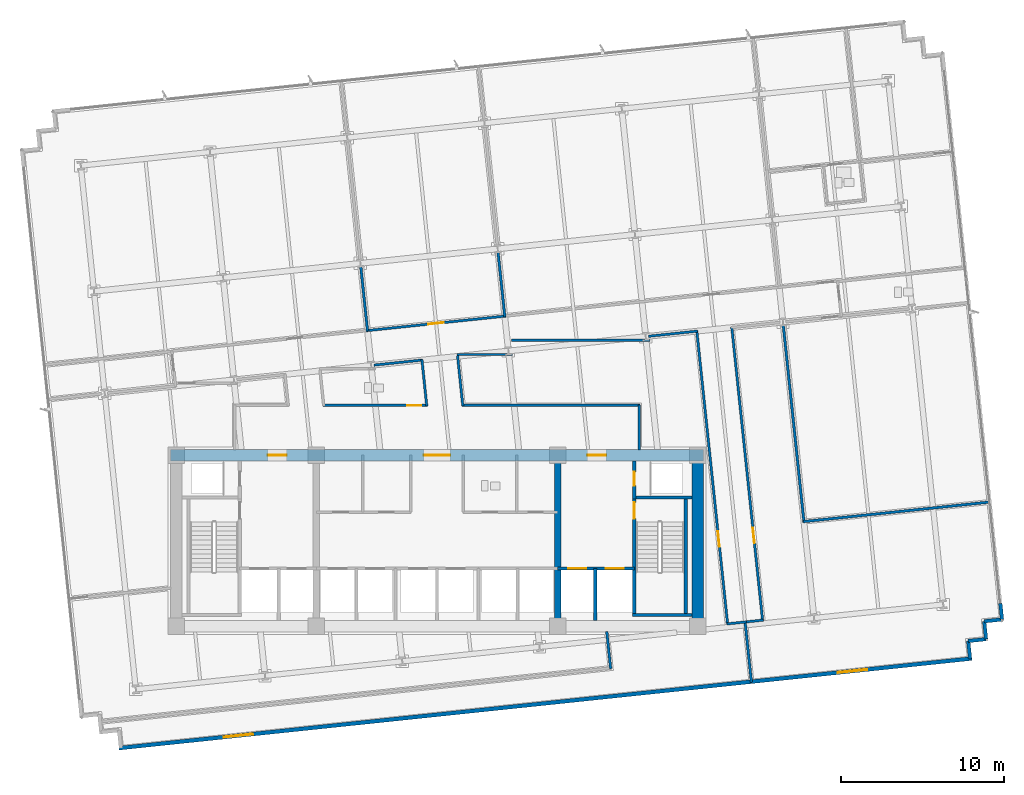
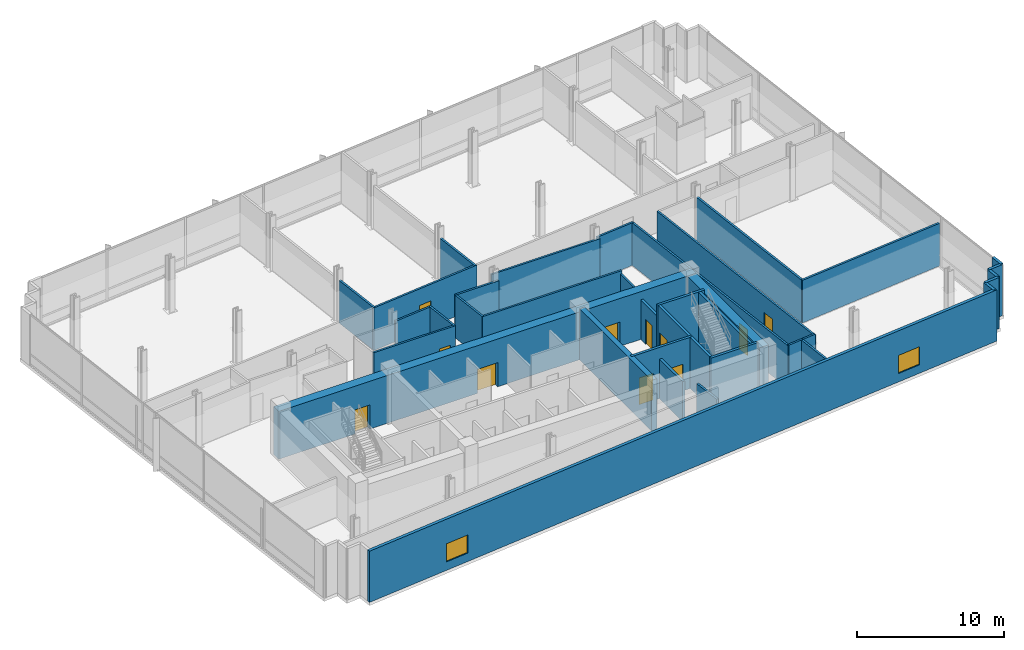
# One storey, part 13 of 20: 36 walls, 11 doors, 2 windows, 13 openings.
"""IFC4 building model written with IfcOpenShell, lengths in metres."""

import ifcopenshell
import ifcopenshell.guid

model = None  # the IFC model being written
_history = None  # IfcOwnerHistory: only IFC2X3 demands one
_inside = {}  # id of a spatial element -> (the spatial element, [elements in it])
_under = {}  # id of a project, library or spatial element -> (it, [spatial elements below it])
_declared = {}  # id of a project -> (the project, [libraries it declares])
_typed = {}  # id of a type object -> (the type object, [elements of that type])
_made_of = {}  # id of a material, layer set ... -> (it, [elements and type objects made of it])


def new_model(schema):
    """Start an empty IFC model of exactly this schema.

    Asked for "IFC4X3", IfcOpenShell would pick the latest addendum, in which some entities
    have other attributes; the version numbers below select the first issue.
    IFC2X3 requires an IfcOwnerHistory on every rooted entity: one is made here for all.
    """
    global model, _history
    if schema == "IFC4X3":
        model = ifcopenshell.file(schema_version=(4, 3, 0, 0))
    else:
        model = ifcopenshell.file(schema=schema)
    _inside.clear()
    _under.clear()
    _declared.clear()
    _typed.clear()
    _made_of.clear()
    _history = None
    if model.schema == "IFC2X3":
        org = make("IfcOrganization", Name="unknown")
        user = make(
            "IfcPersonAndOrganization",
            ThePerson=make("IfcPerson", FamilyName="unknown"),
            TheOrganization=org,
        )
        app = make(
            "IfcApplication",
            ApplicationDeveloper=org,
            Version="unknown",
            ApplicationFullName="unknown",
            ApplicationIdentifier="unknown",
        )
        _history = make(
            "IfcOwnerHistory",
            OwningUser=user,
            OwningApplication=app,
            ChangeAction="ADDED",
            CreationDate=0,
        )
    return model


def make(cls, **values):
    """One entity of the class cls with the attributes given. An attribute that is None is left unset."""
    return model.create_entity(
        cls, **{name: value for name, value in values.items() if value is not None}
    )


def rooted(cls, **values):
    """An entity with a GlobalId (a new one), such as an element, a storey or a relation."""
    return make(cls, GlobalId=ifcopenshell.guid.new(), OwnerHistory=_history, **values)


def si_unit(unit_type, name, prefix=None):
    """IfcSIUnit, for example si_unit("LENGTHUNIT", "METRE", prefix="MILLI")."""
    return make("IfcSIUnit", UnitType=unit_type, Prefix=prefix, Name=name)


def assignment(units):
    """IfcUnitAssignment: the units of a project."""
    return None if units is None else make("IfcUnitAssignment", Units=units)


def point(xyz):
    """IfcCartesianPoint."""
    return None if xyz is None else make("IfcCartesianPoint", Coordinates=xyz)


def direction(xyz):
    """IfcDirection."""
    return None if xyz is None else make("IfcDirection", DirectionRatios=xyz)


def frame(location, z_axis=None, x_axis=None):
    """IfcAxis2Placement3D, a coordinate frame: its origin and axes. An axis left out is left unset."""
    return make(
        "IfcAxis2Placement3D",
        Location=point(location),
        Axis=direction(z_axis),
        RefDirection=direction(x_axis),
    )


def frame_2d(location, x_axis=None):
    """IfcAxis2Placement2D, a coordinate frame in the plane: its origin and x axis."""
    return make(
        "IfcAxis2Placement2D", Location=point(location), RefDirection=direction(x_axis)
    )


def origin():
    """The frame at (0, 0, 0) with its axes left unset."""
    return frame((0.0, 0.0, 0.0))


def place(relative_to, where):
    """IfcLocalPlacement: puts the frame where relative to a parent placement (None: the world)."""
    return make(
        "IfcLocalPlacement", PlacementRelTo=relative_to, RelativePlacement=where
    )


def context(
    kind, dimensions, precision=None, world=None, true_north=None, identifier=None
):
    """IfcGeometricRepresentationContext, for example the 3D "Model" context."""
    return make(
        "IfcGeometricRepresentationContext",
        ContextIdentifier=identifier,
        ContextType=kind,
        CoordinateSpaceDimension=dimensions,
        Precision=precision,
        WorldCoordinateSystem=world,
        TrueNorth=true_north,
    )


def subcontext(parent, identifier, kind, view, scale=None):
    """IfcGeometricRepresentationSubContext, for example "Body" below "Model"."""
    return make(
        "IfcGeometricRepresentationSubContext",
        ContextIdentifier=identifier,
        ContextType=kind,
        ParentContext=parent,
        TargetScale=scale,
        TargetView=view,
    )


def project(units=None, contexts=None):
    """IfcProject with its units and contexts."""
    return rooted(
        "IfcProject",
        Name="project",
        RepresentationContexts=contexts,
        UnitsInContext=assignment(units),
    )


def spatial(cls, under=None, at=None, **own):
    """A site, building, storey or space (cls), placed at a placement, below another one or the project."""
    s = rooted(cls, ObjectPlacement=at, **own)
    if under is not None:
        _under.setdefault(under.id(), (under, []))[1].append(s)
    return s


def profile(cls, at=None, kind="AREA", **sizes):
    """A parametric profile (cls). Its sizes go by their IFC names, for example OverallWidth=200.0."""
    return make(cls, ProfileType=kind, Position=at, **sizes)


def rectangle(**sizes):
    """IfcRectangleProfileDef."""
    return profile("IfcRectangleProfileDef", **sizes)


def extrude(swept, where, along, depth):
    """IfcExtrudedAreaSolid: the profile swept, set in the frame where, extruded along a direction by depth."""
    return make(
        "IfcExtrudedAreaSolid",
        SweptArea=swept,
        Position=where,
        ExtrudedDirection=direction(along),
        Depth=depth,
    )


def shape(context_of_items, identifier, shape_type, items):
    """IfcShapeRepresentation: the items that make up one representation, for example the "Body"."""
    return make(
        "IfcShapeRepresentation",
        ContextOfItems=context_of_items,
        RepresentationIdentifier=identifier,
        RepresentationType=shape_type,
        Items=items,
    )


def material(Name=None, Category=None):
    """IfcMaterial."""
    return make("IfcMaterial", Name=Name, Category=Category)


def layer(
    of_material, thickness, ventilated=None, Name=None, Category=None, Priority=None
):
    """IfcMaterialLayer: one layer of a wall or slab, of a material (None: an air gap)."""
    return make(
        "IfcMaterialLayer",
        Material=of_material,
        LayerThickness=thickness,
        IsVentilated=ventilated,
        Name=Name,
        Category=Category,
        Priority=Priority,
    )


def layer_set(layers, Name=None):
    """IfcMaterialLayerSet."""
    return make("IfcMaterialLayerSet", MaterialLayers=layers, LayerSetName=Name)


def made_of(thing, what):
    """Note that an element or type object is made of a material, layer set ...; save() writes the relation."""
    if what is not None:
        _made_of.setdefault(what.id(), (what, []))[1].append(thing)
    return thing


def type_object(cls, material=None, **own):
    """A type object (cls), such as IfcWallType, which elements share."""
    return made_of(rooted(cls, **own), material)


def element(
    cls,
    number,
    at=None,
    inside=None,
    cuts=None,
    type_object=None,
    material=None,
    context=None,
    identifier="Body",
    shape_type=None,
    held_by="IfcProductDefinitionShape",
    body=None,
    shapes=None,
    **own,
):
    """One element of the class cls, such as IfcWall. Its Tag is "e" and its number.

    at: its placement. inside: the storey or other place that contains it. cuts: it is an
    opening in that element (IfcRelVoidsElement). A single representation is given by context,
    identifier, shape_type and body (its items); several are given by shapes. held_by: the class
    of the entity that holds the representations. save() writes the other relations.
    """
    e = rooted(cls, Tag="e%d" % number, ObjectPlacement=at, **own)
    if body is not None:
        shapes = [shape(context, identifier, shape_type, body)]
    if shapes is not None:
        e.Representation = make(held_by, Representations=shapes)
    if inside is not None:
        _inside.setdefault(inside.id(), (inside, []))[1].append(e)
    if cuts is not None:
        rooted(
            "IfcRelVoidsElement", RelatingBuildingElement=cuts, RelatedOpeningElement=e
        )
    if type_object is not None:
        _typed.setdefault(type_object.id(), (type_object, []))[1].append(e)
    return made_of(e, material)


def fill(opening, filler):
    """IfcRelFillsElement: the door or window that sits in an opening."""
    return rooted(
        "IfcRelFillsElement",
        RelatingOpeningElement=opening,
        RelatedBuildingElement=filler,
    )


def aggregate(whole, parts):
    """IfcRelAggregates: a whole, such as a stair, and the parts it consists of."""
    return rooted("IfcRelAggregates", RelatingObject=whole, RelatedObjects=parts)


def save(model, path):
    """Write the relations noted so far, then the file.

    IfcRelAggregates (storeys below a building ...), IfcRelContainedInSpatialStructure (elements
    in a storey), IfcRelDefinesByType, IfcRelAssociatesMaterial and IfcRelDeclares: one each for
    every whole, place, type object, material and project.
    """
    for whole, parts in _under.values():
        aggregate(whole, parts)
    for where, things in _inside.values():
        rooted(
            "IfcRelContainedInSpatialStructure",
            RelatedElements=things,
            RelatingStructure=where,
        )
    for kind, things in _typed.values():
        rooted("IfcRelDefinesByType", RelatedObjects=things, RelatingType=kind)
    for what, things in _made_of.values():
        rooted("IfcRelAssociatesMaterial", RelatedObjects=things, RelatingMaterial=what)
    for by, libraries in _declared.values():
        rooted("IfcRelDeclares", RelatingContext=by, RelatedDefinitions=libraries)
    model.write(path)


model = new_model("IFC4")

# Units and contexts
model_context = context("Model", 3, precision=1e-05, world=origin(), true_north=direction((0.0, 1.0)))
body_context = subcontext(model_context, "Body", "Model", "MODEL_VIEW")
ifc_project = project(units=[si_unit("LENGTHUNIT", "METRE"), si_unit("AREAUNIT", "SQUARE_METRE"), si_unit("VOLUMEUNIT", "CUBIC_METRE"), si_unit("PLANEANGLEUNIT", "RADIAN"), si_unit("MASSUNIT", "GRAM", prefix="KILO")], contexts=[model_context])

# Site, building, storey
site_placement = place(None, origin())
site = spatial("IfcSite", under=ifc_project, at=site_placement, CompositionType="ELEMENT")
building_placement = place(site_placement, origin())
building = spatial("IfcBuilding", under=site, at=building_placement, Name="Solmavex Isthmus Hotel", CompositionType="ELEMENT")
storey_placement = place(building_placement, frame((0.0, 0.0, 101.85009765625)))
storey = spatial("IfcBuildingStorey", under=building, at=storey_placement, Name="L27", CompositionType="ELEMENT", Elevation=101.85009765625)

# Wall, openings, windows
ifc_material_1 = material(Name="Precast Concrete C40/50", Category="concrete")
ifc_layer_1 = layer(ifc_material_1, 0.25)
ifc_layer_set_1 = layer_set([ifc_layer_1], Name="Precast Concrete C40/50")
wall_type_1 = type_object("IfcWallType", Name="EW-TWR-250", PredefinedType="STANDARD", material=ifc_layer_set_1)
wall_1_placement = place(storey_placement, frame((-19.504150390625, -20.4716796875, 0.0), z_axis=(0.0, 0.0, 1.0), x_axis=(0.994521743132, 0.104529911687, 0.0)))
wall_1 = element("IfcWall", 1, at=wall_1_placement, inside=storey, type_object=wall_type_1, Name="Tower Rear South Facade Wall L27", PredefinedType="STANDARD", context=body_context, shape_type="SweptSolid", body=[
    extrude(rectangle(XDim=52.60009765625, YDim=0.239990234375, at=frame_2d((26.300048828125, 0.0))), origin(), (0.0, 0.0, 1.0), 4.239990234375),
])
opening_1_placement = place(wall_1_placement, frame((6.464111328125, 0.0, 0.699951171875)))
opening_1 = element("IfcOpeningElement", 2, at=opening_1_placement, cuts=wall_1, Name="Opening WN-02", PredefinedType="OPENING", context=body_context, shape_type="SweptSolid", body=[
    extrude(rectangle(XDim=1.800048828125, YDim=1.5, at=frame_2d((0.89990234375, 0.75))), frame((0.0, 0.1298828125, 0.0), z_axis=(0.0, -1.0, 0.0), x_axis=(1.0, 0.0, 0.0)), (0.0, 0.0, 1.0), 0.260009765625),
])
opening_2_placement = place(wall_1_placement, frame((44.3359375, 0.0, 0.699951171875)))
opening_2 = element("IfcOpeningElement", 3, at=opening_2_placement, cuts=wall_1, Name="Opening WN-02", PredefinedType="OPENING", context=body_context, shape_type="SweptSolid", body=[
    extrude(rectangle(XDim=1.800048828125, YDim=1.5, at=frame_2d((0.89990234375, 0.75))), frame((0.0, 0.1298828125, 0.0), z_axis=(0.0, -1.0, 0.0), x_axis=(1.0, 0.0, 0.0)), (0.0, 0.0, 1.0), 0.260009765625),
])
ifc_material_2 = material(Name="Clear low-E laminated glass", Category="glass")
window_type = type_object("IfcWindowType", Name="WIN-TWR-1800", PartitioningType="SINGLE_PANEL", PredefinedType="WINDOW", material=ifc_material_2)
window_1_placement = place(opening_1_placement, origin())
window_1 = element("IfcWindow", 4, at=window_1_placement, inside=storey, type_object=window_type, Name="South Facade Vision Window L27-S1", OverallHeight=1.5, OverallWidth=1.800048828125, PartitioningType="SINGLE_PANEL", PredefinedType="WINDOW", context=body_context, shape_type="SweptSolid", body=[
    extrude(rectangle(XDim=1.800048828125, YDim=1.5, at=frame_2d((0.89990234375, 0.75))), frame((0.0, 0.030029296875, 0.0), z_axis=(0.0, -1.0, 0.0), x_axis=(1.0, 0.0, 0.0)), (0.0, 0.0, 1.0), 0.06005859375),
])
fill(opening_1, window_1)
window_2_placement = place(opening_2_placement, origin())
window_2 = element("IfcWindow", 5, at=window_2_placement, inside=storey, type_object=window_type, Name="South Facade Vision Window L27-S2", OverallHeight=1.5, OverallWidth=1.800048828125, PartitioningType="SINGLE_PANEL", PredefinedType="WINDOW", context=body_context, shape_type="SweptSolid", body=[
    extrude(rectangle(XDim=1.800048828125, YDim=1.5, at=frame_2d((0.89990234375, 0.75))), frame((0.0, 0.030029296875, 0.0), z_axis=(0.0, -1.0, 0.0), x_axis=(1.0, 0.0, 0.0)), (0.0, 0.0, 1.0), 0.06005859375),
])
fill(opening_2, window_2)

# Walls
wall_2_placement = place(storey_placement, frame((34.553955078125, -11.59228515625, 0.0), z_axis=(0.0, 0.0, 1.0), x_axis=(0.104556418955, -0.99451895671, 0.0)))
element("IfcWall", 6, at=wall_2_placement, inside=storey, type_object=wall_type_1, Name="Serrated Corner Facade Panel L27-21", PredefinedType="STANDARD", context=body_context, shape_type="SweptSolid", body=[
    extrude(rectangle(XDim=0.989990234375, YDim=0.219970703125, at=frame_2d((0.4951171875, 0.0))), origin(), (0.0, 0.0, 1.0), 4.239990234375),
])
for number, where, z_axis, x_axis, name in (
    (7, (34.657470703125, -12.576904296875, 0.0), (0.0, 0.0, 1.0), (-0.994521251134, -0.104534592565, 0.0), "Serrated Corner Facade Panel L27-22"),
    (8, (33.5634765625, -12.69189453125, 0.0), (0.0, 0.0, 1.0), (0.104534592565, -0.994521251134, 0.0), "Serrated Corner Facade Panel L27-23"),
    (9, (33.678466796875, -13.785888671875, 0.0), (0.0, 0.0, 1.0), (-0.994521251134, -0.104534592565, 0.0), "Serrated Corner Facade Panel L27-24"),
    (10, (32.58447265625, -13.90087890625, 0.0), (0.0, 0.0, 1.0), (0.104534592565, -0.994521251134, 0.0), "Serrated Corner Facade Panel L27-25"),
):
    element("IfcWall", number, at=place(storey_placement, frame(where, z_axis=z_axis, x_axis=x_axis)), inside=storey, type_object=wall_type_1, Name=name, PredefinedType="STANDARD", context=body_context, shape_type="SweptSolid", body=[
        extrude(rectangle(XDim=1.10009765625, YDim=0.219970703125, at=frame_2d((0.550048828125, 0.0))), origin(), (0.0, 0.0, 1.0), 4.239990234375),
    ])
ifc_material_3 = material(Name="Gypsum plasterboard lining", Category="gypsum")
ifc_layer_2 = layer(ifc_material_3, 0.159912109375)
ifc_layer_set_2 = layer_set([ifc_layer_2], Name="Gypsum plasterboard lining")
wall_type_2 = type_object("IfcWallType", Name="IW-COMP-160", PredefinedType="PARTITIONING", material=ifc_layer_set_2)
for number, where, z_axis, x_axis, name in (
    (11, (-4.678955078125, 9.091796875, 0.0), (0.0, 0.0, 1.0), (0.104491540593, -0.994525775405, 0.0), "Interior Partition Wall W-L27-P031"),
    (12, (3.740478515625, 9.976806640625, 0.0), (0.0, 0.0, 1.0), (0.104551732594, -0.994519449388, 0.0), "Interior Partition Wall W-L27-P035"),
):
    element("IfcWall", number, at=place(storey_placement, frame(where, z_axis=z_axis, x_axis=x_axis)), inside=storey, type_object=wall_type_2, Name=name, PredefinedType="PARTITIONING", context=body_context, shape_type="SweptSolid", body=[
        extrude(rectangle(XDim=4.01171875, YDim=0.159912109375, at=frame_2d((2.005859375, 0.0))), origin(), (0.0, 0.0, 1.0), 3.529296875),
    ])
wall_3_placement = place(storey_placement, frame((33.930419921875, -5.37353515625, 0.0), z_axis=(0.0, 0.0, 1.0), x_axis=(-0.994523425118, -0.104513907644, 0.0)))
element("IfcWall", 13, at=wall_3_placement, inside=storey, type_object=wall_type_2, Name="Interior Partition Wall W-L27-P053", PredefinedType="PARTITIONING", context=body_context, shape_type="SweptSolid", body=[
    extrude(rectangle(XDim=11.528076171875, YDim=0.159912109375, at=frame_2d((5.76416015625, 0.0))), origin(), (0.0, 0.0, 1.0), 3.529296875),
])
wall_4_placement = place(storey_placement, frame((22.509521484375, -6.614013671875, 0.0), z_axis=(0.0, 0.0, 1.0), x_axis=(-0.104530153499, 0.994521717716, 0.0)))
element("IfcWall", 14, at=wall_4_placement, inside=storey, type_object=wall_type_2, Name="Interior Partition Wall W-L27-P054", PredefinedType="PARTITIONING", context=body_context, shape_type="SweptSolid", body=[
    extrude(rectangle(XDim=12.163818359375, YDim=0.159912109375, at=frame_2d((6.08203125, 0.0))), origin(), (0.0, 0.0, 1.0), 3.529296875),
])
wall_5_placement = place(storey_placement, frame((10.411376953125, -13.310302734375, 0.0), z_axis=(0.0, 0.0, 1.0), x_axis=(0.104535925093, -0.99452111107, 0.0)))
element("IfcWall", 15, at=wall_5_placement, inside=storey, type_object=wall_type_2, Name="Interior Partition Wall W-L27-P055", PredefinedType="PARTITIONING", context=body_context, shape_type="SweptSolid", body=[
    extrude(rectangle(XDim=2.30517578125, YDim=0.159912109375, at=frame_2d((1.152587890625, 0.0))), origin(), (0.0, 0.0, 1.0), 3.27490234375),
])
wall_6_placement = place(storey_placement, frame((18.8935546875, -12.6953125, 0.0), z_axis=(0.0, 0.0, 1.0), x_axis=(0.104536068716, -0.994521095974, 0.0)))
element("IfcWall", 16, at=wall_6_placement, inside=storey, type_object=wall_type_2, Name="Interior Partition Wall W-L27-P057", PredefinedType="PARTITIONING", context=body_context, shape_type="SweptSolid", body=[
    extrude(rectangle(XDim=3.760009765625, YDim=0.159912109375, at=frame_2d((1.8798828125, 0.0))), origin(), (0.0, 0.0, 1.0), 3.60302734375),
])

# Wall, opening, door
ifc_layer_3 = layer(ifc_material_3, 0.14990234375)
ifc_layer_set_3 = layer_set([ifc_layer_3], Name="Gypsum plasterboard lining")
wall_type_3 = type_object("IfcWallType", Name="IW-CORR-150", PredefinedType="PARTITIONING", material=ifc_layer_set_3)
wall_7_placement = place(storey_placement, frame((-4.345458984375, 5.13330078125, 0.0), z_axis=(0.0, 0.0, 1.0), x_axis=(0.994521717123, 0.104530159146, 0.0)))
wall_7 = element("IfcWall", 17, at=wall_7_placement, inside=storey, type_object=wall_type_3, Name="Interior Partition Wall W-L27-P002", PredefinedType="PARTITIONING", context=body_context, shape_type="SweptSolid", body=[
    extrude(rectangle(XDim=8.630126953125, YDim=0.14990234375, at=frame_2d((4.31494140625, 0.0))), origin(), (0.0, 0.0, 1.0), 3.529296875),
])
opening_3_placement = place(wall_7_placement, frame((3.840087890625, 0.0, 0.0)))
opening_3 = element("IfcOpeningElement", 18, at=opening_3_placement, cuts=wall_7, Name="Opening ID-C095", PredefinedType="OPENING", context=body_context, shape_type="SweptSolid", body=[
    extrude(rectangle(XDim=0.949951171875, YDim=2.14990234375, at=frame_2d((0.47509765625, 1.074951171875))), frame((0.0, 0.0849609375, 0.0), z_axis=(0.0, -1.0, 0.0), x_axis=(1.0, 0.0, 0.0)), (0.0, 0.0, 1.0), 0.169921875),
])
ifc_material_4 = material(Name="Hardwood timber", Category="wood")
door_type_1 = type_object("IfcDoorType", Name="IDR-FD60-0950", OperationType="NOTDEFINED", PredefinedType="DOOR", material=ifc_material_4)
door_1_placement = place(opening_3_placement, origin())
door_1 = element("IfcDoor", 19, at=door_1_placement, inside=storey, type_object=door_type_1, Name="Concierge Reception Door L27-02", OperationType="SINGLE_SWING_RIGHT", OverallHeight=2.14990234375, OverallWidth=0.949951171875, PredefinedType="DOOR", context=body_context, shape_type="SweptSolid", body=[
    extrude(rectangle(XDim=0.949951171875, YDim=2.14990234375, at=frame_2d((0.47509765625, 1.074951171875))), frame((0.0, 0.02490234375, 0.0), z_axis=(0.0, -1.0, 0.0), x_axis=(1.0, 0.0, 0.0)), (0.0, 0.0, 1.0), 0.050048828125),
])
fill(opening_3, door_1)

wall_8_placement = place(storey_placement, frame((-6.99169921875, 0.550048828125, 0.0), z_axis=(0.0, 0.0, 1.0), x_axis=(1.0, 0.0, 0.0)))
wall_8 = element("IfcWall", 20, at=wall_8_placement, inside=storey, type_object=wall_type_3, Name="Interior Partition Wall W-L27-P007", PredefinedType="PARTITIONING", context=body_context, shape_type="SweptSolid", body=[
    extrude(rectangle(XDim=6.400634765625, YDim=0.14990234375, at=frame_2d((3.2001953125, 0.0))), origin(), (0.0, 0.0, 1.0), 3.529296875),
])
opening_4_placement = place(wall_8_placement, frame((5.16455078125, 0.0, 0.0)))
opening_4 = element("IfcOpeningElement", 21, at=opening_4_placement, cuts=wall_8, Name="Opening ID-R085", PredefinedType="OPENING", context=body_context, shape_type="SweptSolid", body=[
    extrude(rectangle(XDim=0.85009765625, YDim=2.050048828125, at=frame_2d((0.425048828125, 1.02490234375))), frame((0.0, 0.0849609375, 0.0), z_axis=(0.0, -1.0, 0.0), x_axis=(1.0, 0.0, 0.0)), (0.0, 0.0, 1.0), 0.169921875),
])
ifc_material_5 = material(Name="Steel ASTM A500 Grade C", Category="steel")
door_type_2 = type_object("IfcDoorType", Name="IDR-FD60-0850", OperationType="NOTDEFINED", PredefinedType="DOOR", material=ifc_material_5)
door_2_placement = place(opening_4_placement, frame((0.85009765625, 0.0, 0.0), z_axis=(0.0, 0.0, 1.0), x_axis=(-1.0, 0.0, 0.0)))
door_2 = element("IfcDoor", 22, at=door_2_placement, inside=storey, type_object=door_type_2, Name="Accessible Public Restroom WC Door L27-08", OperationType="SINGLE_SWING_RIGHT", OverallHeight=2.050048828125, OverallWidth=0.85009765625, PredefinedType="DOOR", context=body_context, shape_type="SweptSolid", body=[
    extrude(rectangle(XDim=0.85009765625, YDim=2.050048828125, at=frame_2d((0.425048828125, 1.02490234375))), frame((0.0, 0.02490234375, 0.0), z_axis=(0.0, -1.0, 0.0), x_axis=(1.0, 0.0, 0.0)), (0.0, 0.0, 1.0), 0.050048828125),
])
fill(opening_4, door_2)

# Walls
wall_9_placement = place(storey_placement, frame((-0.626708984375, 0.51025390625, 0.0), z_axis=(0.0, 0.0, 1.0), x_axis=(-0.104569907609, 0.994517538519, 0.0)))
element("IfcWall", 23, at=wall_9_placement, inside=storey, type_object=wall_type_3, Name="Interior Partition Wall W-L27-P008", PredefinedType="PARTITIONING", context=body_context, shape_type="SweptSolid", body=[
    extrude(rectangle(XDim=2.87646484375, YDim=0.14990234375, at=frame_2d((1.438232421875, 0.0))), origin(), (0.0, 0.0, 1.0), 3.529296875),
])
wall_10_placement = place(storey_placement, frame((-0.883544921875, 3.335205078125, 0.0), z_axis=(0.0, 0.0, 1.0), x_axis=(-0.994522848096, -0.104519398272, 0.0)))
element("IfcWall", 24, at=wall_10_placement, inside=storey, type_object=wall_type_3, Name="Interior Partition Wall W-L27-P009", PredefinedType="PARTITIONING", context=body_context, shape_type="SweptSolid", body=[
    extrude(rectangle(XDim=2.996826171875, YDim=0.14990234375, at=frame_2d((1.49853515625, 0.0))), origin(), (0.0, 0.0, 1.0), 3.529296875),
])
wall_11_placement = place(storey_placement, frame((18.979248046875, -12.7265625, 0.0), z_axis=(0.0, 0.0, 1.0), x_axis=(-0.994524339101, -0.104505210087, 0.0)))
element("IfcWall", 25, at=wall_11_placement, inside=storey, type_object=wall_type_3, Name="Interior Partition Wall W-L27-P018", PredefinedType="PARTITIONING", context=body_context, shape_type="SweptSolid", body=[
    extrude(rectangle(XDim=1.203125, YDim=0.14990234375, at=frame_2d((0.6015625, 0.0))), origin(), (0.0, 0.0, 1.0), 3.60302734375),
])

# Wall, opening, door
wall_12_placement = place(storey_placement, frame((17.82666015625, -12.887939453125, 0.0), z_axis=(0.0, 0.0, 1.0), x_axis=(-0.104523559353, 0.994522410778, 0.0)))
wall_12 = element("IfcWall", 26, at=wall_12_placement, inside=storey, type_object=wall_type_3, Name="Interior Partition Wall W-L27-P019", PredefinedType="PARTITIONING", context=body_context, shape_type="SweptSolid", body=[
    extrude(rectangle(XDim=18.130126953125, YDim=0.14990234375, at=frame_2d((9.06494140625, 0.0))), origin(), (0.0, 0.0, 1.0), 3.529296875),
])
opening_5_placement = place(wall_12_placement, frame((4.799560546875, 0.0, 0.0)))
opening_5 = element("IfcOpeningElement", 27, at=opening_5_placement, cuts=wall_12, Name="Opening ID-C095", PredefinedType="OPENING", context=body_context, shape_type="SweptSolid", body=[
    extrude(rectangle(XDim=0.949951171875, YDim=2.14990234375, at=frame_2d((0.47509765625, 1.074951171875))), frame((0.0, 0.0849609375, 0.0), z_axis=(0.0, -1.0, 0.0), x_axis=(1.0, 0.0, 0.0)), (0.0, 0.0, 1.0), 0.169921875),
])
door_3_placement = place(opening_5_placement, frame((0.949951171875, 0.0, 0.0), z_axis=(0.0, 0.0, 1.0), x_axis=(-1.0, 0.0, 0.0)))
door_3 = element("IfcDoor", 28, at=door_3_placement, inside=storey, type_object=door_type_1, Name="VIP Boardroom Door L27-14", OperationType="SINGLE_SWING_RIGHT", OverallHeight=2.14990234375, OverallWidth=0.949951171875, PredefinedType="DOOR", context=body_context, shape_type="SweptSolid", body=[
    extrude(rectangle(XDim=0.949951171875, YDim=2.14990234375, at=frame_2d((0.47509765625, 1.074951171875))), frame((0.0, 0.02490234375, 0.0), z_axis=(0.0, -1.0, 0.0), x_axis=(1.0, 0.0, 0.0)), (0.0, 0.0, 1.0), 0.050048828125),
])
fill(opening_5, door_3)

# Walls
wall_13_placement = place(storey_placement, frame((15.9755859375, 5.107177734375, 0.0), z_axis=(0.0, 0.0, 1.0), x_axis=(-0.994518748051, -0.104558403652, 0.0)))
element("IfcWall", 29, at=wall_13_placement, inside=storey, type_object=wall_type_3, Name="Interior Partition Wall W-L27-P020", PredefinedType="PARTITIONING", context=body_context, shape_type="SweptSolid", body=[
    extrude(rectangle(XDim=3.016845703125, YDim=0.14990234375, at=frame_2d((1.50830078125, 0.0))), origin(), (0.0, 0.0, 1.0), 3.529296875),
])
wall_14_placement = place(storey_placement, frame((13.05517578125, 4.558349609375, 0.0), z_axis=(0.0, 0.0, 1.0), x_axis=(-1.0, 0.0, 0.0)))
element("IfcWall", 30, at=wall_14_placement, inside=storey, type_object=wall_type_3, Name="Interior Partition Wall W-L27-P021", PredefinedType="PARTITIONING", context=body_context, shape_type="SweptSolid", body=[
    extrude(rectangle(XDim=8.49951171875, YDim=0.14990234375, at=frame_2d((4.249755859375, 0.0))), origin(), (0.0, 0.0, 1.0), 3.529296875),
])
wall_15_placement = place(storey_placement, frame((4.635498046875, 3.673583984375, 0.0), z_axis=(0.0, 0.0, 1.0), x_axis=(-1.0, 0.0, 0.0)))
element("IfcWall", 31, at=wall_15_placement, inside=storey, type_object=wall_type_3, Name="Interior Partition Wall W-L27-P022", PredefinedType="PARTITIONING", context=body_context, shape_type="SweptSolid", body=[
    extrude(rectangle(XDim=3.41064453125, YDim=0.14990234375, at=frame_2d((1.705322265625, 0.0))), origin(), (0.0, 0.0, 1.0), 3.529296875),
])
wall_16_placement = place(storey_placement, frame((1.260498046875, 3.600830078125, 0.0), z_axis=(0.0, 0.0, 1.0), x_axis=(0.104488483176, -0.994526096633, 0.0)))
element("IfcWall", 32, at=wall_16_placement, inside=storey, type_object=wall_type_3, Name="Interior Partition Wall W-L27-P023", PredefinedType="PARTITIONING", context=body_context, shape_type="SweptSolid", body=[
    extrude(rectangle(XDim=3.107666015625, YDim=0.14990234375, at=frame_2d((1.5537109375, 0.0))), origin(), (0.0, 0.0, 1.0), 3.529296875),
])
wall_17_placement = place(storey_placement, frame((1.541015625, 0.550048828125, 0.0), z_axis=(0.0, 0.0, 1.0), x_axis=(1.0, 0.0, 0.0)))
element("IfcWall", 33, at=wall_17_placement, inside=storey, type_object=wall_type_3, Name="Interior Partition Wall W-L27-P024", PredefinedType="PARTITIONING", context=body_context, shape_type="SweptSolid", body=[
    extrude(rectangle(XDim=10.89892578125, YDim=0.14990234375, at=frame_2d((5.449462890625, 0.0))), origin(), (0.0, 0.0, 1.0), 3.529296875),
])
wall_18_placement = place(storey_placement, frame((12.39990234375, 0.590087890625, 0.0), z_axis=(0.0, 0.0, 1.0), x_axis=(0.0, -1.0, 0.0)))
element("IfcWall", 34, at=wall_18_placement, inside=storey, type_object=wall_type_3, Name="Interior Partition Wall W-L27-P025", PredefinedType="PARTITIONING", context=body_context, shape_type="SweptSolid", body=[
    extrude(rectangle(XDim=2.780029296875, YDim=0.14990234375, at=frame_2d((1.39013671875, 0.0))), origin(), (0.0, 0.0, 1.0), 3.27490234375),
])

# Wall, opening, door
wall_19_placement = place(storey_placement, frame((18.079833984375, 5.36865234375, 0.0), z_axis=(0.0, 0.0, 1.0), x_axis=(0.104523559353, -0.994522410778, 0.0)))
wall_19 = element("IfcWall", 35, at=wall_19_placement, inside=storey, type_object=wall_type_3, Name="Interior Partition Wall W-L27-P027", PredefinedType="PARTITIONING", context=body_context, shape_type="SweptSolid", body=[
    extrude(rectangle(XDim=18.130126953125, YDim=0.14990234375, at=frame_2d((9.06494140625, 0.0))), origin(), (0.0, 0.0, 1.0), 3.529296875),
])
opening_6_placement = place(wall_19_placement, frame((12.380615234375, 0.0, 0.0)))
opening_6 = element("IfcOpeningElement", 36, at=opening_6_placement, cuts=wall_19, Name="Opening ID-C095", PredefinedType="OPENING", context=body_context, shape_type="SweptSolid", body=[
    extrude(rectangle(XDim=0.949951171875, YDim=2.14990234375, at=frame_2d((0.47509765625, 1.074951171875))), frame((0.0, 0.0849609375, 0.0), z_axis=(0.0, -1.0, 0.0), x_axis=(1.0, 0.0, 0.0)), (0.0, 0.0, 1.0), 0.169921875),
])
door_4_placement = place(opening_6_placement, origin())
door_4 = element("IfcDoor", 37, at=door_4_placement, inside=storey, type_object=door_type_1, Name="Corporate Briefing Office Door L27-15", OperationType="SINGLE_SWING_LEFT", OverallHeight=2.14990234375, OverallWidth=0.949951171875, PredefinedType="DOOR", context=body_context, shape_type="SweptSolid", body=[
    extrude(rectangle(XDim=0.949951171875, YDim=2.14990234375, at=frame_2d((0.47509765625, 1.074951171875))), frame((0.0, 0.02490234375, 0.0), z_axis=(0.0, -1.0, 0.0), x_axis=(1.0, 0.0, 0.0)), (0.0, 0.0, 1.0), 0.050048828125),
])
fill(opening_6, door_4)

# Wall
wall_20_placement = place(storey_placement, frame((20.010498046875, -12.6181640625, 0.0), z_axis=(0.0, 0.0, 1.0), x_axis=(-0.99452548582, -0.104494296752, 0.0)))
element("IfcWall", 38, at=wall_20_placement, inside=storey, type_object=wall_type_3, Name="Interior Partition Wall W-L27-P028", PredefinedType="PARTITIONING", context=body_context, shape_type="SweptSolid", body=[
    extrude(rectangle(XDim=1.200927734375, YDim=0.14990234375, at=frame_2d((0.6005859375, 0.0))), origin(), (0.0, 0.0, 1.0), 3.60302734375),
])

# Wall, opening, door
ifc_material_6 = material(Name="Concrete C40/50", Category="concrete")
ifc_layer_4 = layer(ifc_material_6, 0.199951171875)
ifc_layer_set_4 = layer_set([ifc_layer_4], Name="Concrete C40/50")
wall_type_4 = type_object("IfcWallType", Name="IW-SHAFT-200", PredefinedType="PARTITIONING", material=ifc_layer_set_4)
wall_21_placement = place(storey_placement, frame((12.10009765625, -5.199951171875, 0.0), z_axis=(0.0, 0.0, 1.0), x_axis=(0.0, 1.0, 0.0)))
wall_21 = element("IfcWall", 39, at=wall_21_placement, inside=storey, type_object=wall_type_4, Name="Interior Partition Wall W-L27-RSE-W", PredefinedType="PARTITIONING", context=body_context, shape_type="SweptSolid", body=[
    extrude(rectangle(XDim=2.349853515625, YDim=0.199951171875, at=frame_2d((1.1748046875, 0.0))), origin(), (0.0, 0.0, 1.0), 3.27490234375),
])
opening_7_placement = place(wall_21_placement, frame((0.824951171875, 0.0, 0.0)))
opening_7 = element("IfcOpeningElement", 40, at=opening_7_placement, cuts=wall_21, Name="Opening ID-R085", PredefinedType="OPENING", context=body_context, shape_type="SweptSolid", body=[
    extrude(rectangle(XDim=0.85009765625, YDim=2.050048828125, at=frame_2d((0.425048828125, 1.02490234375))), frame((0.0, 0.10986328125, 0.0), z_axis=(0.0, -1.0, 0.0), x_axis=(1.0, 0.0, 0.0)), (0.0, 0.0, 1.0), 0.219970703125),
])
door_5_placement = place(opening_7_placement, frame((0.85009765625, 0.0, 0.0), z_axis=(0.0, 0.0, 1.0), x_axis=(-1.0, 0.0, 0.0)))
door_5 = element("IfcDoor", 41, at=door_5_placement, inside=storey, type_object=door_type_2, Name="Mechanical Riser Door L27", OperationType="SINGLE_SWING_LEFT", OverallHeight=2.050048828125, OverallWidth=0.85009765625, PredefinedType="DOOR", context=body_context, shape_type="SweptSolid", body=[
    extrude(rectangle(XDim=0.85009765625, YDim=2.050048828125, at=frame_2d((0.425048828125, 1.02490234375))), frame((0.0, 0.02490234375, 0.0), z_axis=(0.0, -1.0, 0.0), x_axis=(1.0, 0.0, 0.0)), (0.0, 0.0, 1.0), 0.050048828125),
])
fill(opening_7, door_5)

# Wall, openings, doors
wall_22_placement = place(storey_placement, frame((7.39990234375, -9.449951171875, 0.0), z_axis=(0.0, 0.0, 1.0), x_axis=(1.0, 0.0, 0.0)))
wall_22 = element("IfcWall", 42, at=wall_22_placement, inside=storey, type_object=wall_type_4, Name="Interior Partition Wall W-L27-FFLE-S", PredefinedType="PARTITIONING", context=body_context, shape_type="SweptSolid", body=[
    extrude(rectangle(XDim=4.7001953125, YDim=0.199951171875, at=frame_2d((2.35009765625, 0.0))), origin(), (0.0, 0.0, 1.0), 4.239990234375),
])
opening_8_placement = place(wall_22_placement, frame((2.949951171875, 0.0, 0.0)))
opening_8 = element("IfcOpeningElement", 43, at=opening_8_placement, cuts=wall_22, Name="Opening LD-FF", PredefinedType="OPENING", context=body_context, shape_type="SweptSolid", body=[
    extrude(rectangle(XDim=1.10009765625, YDim=2.199951171875, at=frame_2d((0.550048828125, 1.10009765625))), frame((0.0, 0.10986328125, 0.0), z_axis=(0.0, -1.0, 0.0), x_axis=(1.0, 0.0, 0.0)), (0.0, 0.0, 1.0), 0.219970703125),
])
opening_9_placement = place(wall_22_placement, frame((0.64990234375, 0.0, 0.0)))
opening_9 = element("IfcOpeningElement", 44, at=opening_9_placement, cuts=wall_22, Name="Opening LD-SV", PredefinedType="OPENING", context=body_context, shape_type="SweptSolid", body=[
    extrude(rectangle(XDim=1.10009765625, YDim=2.199951171875, at=frame_2d((0.550048828125, 1.10009765625))), frame((0.0, 0.10986328125, 0.0), z_axis=(0.0, -1.0, 0.0), x_axis=(1.0, 0.0, 0.0)), (0.0, 0.0, 1.0), 0.219970703125),
])
ifc_material_7 = material(Name="Stainless steel 316", Category="steel")
door_type_3 = type_object("IfcDoorType", Name="LDR-FF-1100", OperationType="NOTDEFINED", PredefinedType="DOOR", material=ifc_material_7)
door_6_placement = place(opening_8_placement, origin())
door_6 = element("IfcDoor", 45, at=door_6_placement, inside=storey, type_object=door_type_3, Name="Lift Landing Door FFL-2 L27", OperationType="SLIDING_TO_LEFT", OverallHeight=2.199951171875, OverallWidth=1.10009765625, PredefinedType="DOOR", context=body_context, shape_type="SweptSolid", body=[
    extrude(rectangle(XDim=1.10009765625, YDim=2.199951171875, at=frame_2d((0.550048828125, 1.10009765625))), frame((0.0, 0.02490234375, 0.0), z_axis=(0.0, -1.0, 0.0), x_axis=(1.0, 0.0, 0.0)), (0.0, 0.0, 1.0), 0.050048828125),
])
fill(opening_8, door_6)
door_type_4 = type_object("IfcDoorType", Name="LDR-SV-1100", OperationType="NOTDEFINED", PredefinedType="DOOR", material=ifc_material_7)
door_7_placement = place(opening_9_placement, origin())
door_7 = element("IfcDoor", 46, at=door_7_placement, inside=storey, type_object=door_type_4, Name="Lift Landing Door SVL-2 L27", OperationType="SLIDING_TO_RIGHT", OverallHeight=2.199951171875, OverallWidth=1.10009765625, PredefinedType="DOOR", context=body_context, shape_type="SweptSolid", body=[
    extrude(rectangle(XDim=1.10009765625, YDim=2.199951171875, at=frame_2d((0.550048828125, 1.10009765625))), frame((0.0, 0.02490234375, 0.0), z_axis=(0.0, -1.0, 0.0), x_axis=(1.0, 0.0, 0.0)), (0.0, 0.0, 1.0), 0.050048828125),
])
fill(opening_9, door_7)

# Walls
wall_23_placement = place(storey_placement, frame((9.699951171875, -12.64990234375, 0.0), z_axis=(0.0, 0.0, 1.0), x_axis=(0.0, 1.0, 0.0)))
element("IfcWall", 47, at=wall_23_placement, inside=storey, type_object=wall_type_4, Name="Interior Partition Wall W-L27-FFLE-M", PredefinedType="PARTITIONING", context=body_context, shape_type="SweptSolid", body=[
    extrude(rectangle(XDim=3.199951171875, YDim=0.199951171875, at=frame_2d((1.60009765625, 0.0))), origin(), (0.0, 0.0, 1.0), 3.27490234375),
])
ifc_material_8 = material(Name="Concrete C60/75", Category="concrete")
ifc_layer_5 = layer(ifc_material_8, 0.39990234375)
ifc_layer_set_5 = layer_set([ifc_layer_5], Name="Concrete C60/75")
wall_type_5 = type_object("IfcWallType", Name="WALL-CW-400M", PredefinedType="SHEAR", material=ifc_layer_set_5)
wall_24_placement = place(storey_placement, frame((7.39990234375, -12.64990234375, 0.0), z_axis=(0.0, 0.0, 1.0), x_axis=(0.0, 1.0, 0.0)))
element("IfcWall", 48, at=wall_24_placement, inside=storey, type_object=wall_type_5, Name="Core Cross Shear Wall C2 L27", PredefinedType="SHEAR", context=body_context, shape_type="SweptSolid", body=[
    extrude(rectangle(XDim=9.7998046875, YDim=0.39990234375, at=frame_2d((4.89990234375, 0.0))), origin(), (0.0, 0.0, 1.0), 4.239990234375),
])

# Wall, openings, doors
ifc_layer_6 = layer(ifc_material_8, 0.699951171875)
ifc_layer_set_6 = layer_set([ifc_layer_6], Name="Concrete C60/75")
wall_type_6 = type_object("IfcWallType", Name="WALL-CW-700", PredefinedType="SHEAR", material=ifc_layer_set_6)
wall_25_placement = place(storey_placement, frame((-16.35009765625, -2.5, 0.0), z_axis=(0.0, 0.0, 1.0), x_axis=(1.0, 0.0, 0.0)))
wall_25 = element("IfcWall", 49, at=wall_25_placement, inside=storey, type_object=wall_type_6, Name="Core Shear Wall North L27", PredefinedType="SHEAR", context=body_context, shape_type="SweptSolid", body=[
    extrude(rectangle(XDim=32.7001953125, YDim=0.699951171875, at=frame_2d((16.35009765625, 0.0))), origin(), (0.0, 0.0, 1.0), 3.9599609375),
])
opening_10_placement = place(wall_25_placement, frame((5.97509765625, 0.0, 0.0)))
opening_10 = element("IfcOpeningElement", 50, at=opening_10_placement, cuts=wall_25, Name="Opening ID-F915", PredefinedType="OPENING", context=body_context, shape_type="SweptSolid", body=[
    extrude(rectangle(XDim=1.14990234375, YDim=2.0, at=frame_2d((0.574951171875, 1.0))), frame((0.0, 0.35986328125, 0.0), z_axis=(0.0, -1.0, 0.0), x_axis=(1.0, 0.0, 0.0)), (0.0, 0.0, 1.0), 0.719970703125),
])
opening_11_placement = place(wall_25_placement, frame((15.550048828125, 0.0, 0.0)))
opening_11 = element("IfcOpeningElement", 51, at=opening_11_placement, cuts=wall_25, Name="Opening ID-F960", PredefinedType="OPENING", context=body_context, shape_type="SweptSolid", body=[
    extrude(rectangle(XDim=1.60009765625, YDim=2.0, at=frame_2d((0.800048828125, 1.0))), frame((0.0, 0.35986328125, 0.0), z_axis=(0.0, -1.0, 0.0), x_axis=(1.0, 0.0, 0.0)), (0.0, 0.0, 1.0), 0.719970703125),
])
opening_12_placement = place(wall_25_placement, frame((25.574951171875, 0.0, 0.0)))
opening_12 = element("IfcOpeningElement", 52, at=opening_12_placement, cuts=wall_25, Name="Opening ID-F915", PredefinedType="OPENING", context=body_context, shape_type="SweptSolid", body=[
    extrude(rectangle(XDim=1.14990234375, YDim=2.0, at=frame_2d((0.574951171875, 1.0))), frame((0.0, 0.35986328125, 0.0), z_axis=(0.0, -1.0, 0.0), x_axis=(1.0, 0.0, 0.0)), (0.0, 0.0, 1.0), 0.719970703125),
])
door_type_5 = type_object("IfcDoorType", Name="IDR-FD90-1150C", OperationType="NOTDEFINED", PredefinedType="DOOR", material=ifc_material_5)
door_8_placement = place(opening_10_placement, origin())
door_8 = element("IfcDoor", 53, at=door_8_placement, inside=storey, type_object=door_type_5, Name="Firefighting Lobby West Exit Door L27", OperationType="SINGLE_SWING_LEFT", OverallHeight=2.0, OverallWidth=1.14990234375, PredefinedType="DOOR", context=body_context, shape_type="SweptSolid", body=[
    extrude(rectangle(XDim=1.14990234375, YDim=2.0, at=frame_2d((0.574951171875, 1.0))), frame((0.0, 0.02490234375, 0.0), z_axis=(0.0, -1.0, 0.0), x_axis=(1.0, 0.0, 0.0)), (0.0, 0.0, 1.0), 0.050048828125),
])
fill(opening_10, door_8)
door_9_placement = place(opening_12_placement, origin())
door_9 = element("IfcDoor", 54, at=door_9_placement, inside=storey, type_object=door_type_5, Name="Firefighting Lobby East Exit Door L27", OperationType="SINGLE_SWING_RIGHT", OverallHeight=2.0, OverallWidth=1.14990234375, PredefinedType="DOOR", context=body_context, shape_type="SweptSolid", body=[
    extrude(rectangle(XDim=1.14990234375, YDim=2.0, at=frame_2d((0.574951171875, 1.0))), frame((0.0, 0.02490234375, 0.0), z_axis=(0.0, -1.0, 0.0), x_axis=(1.0, 0.0, 0.0)), (0.0, 0.0, 1.0), 0.050048828125),
])
fill(opening_12, door_9)
door_type_6 = type_object("IfcDoorType", Name="IDR-FD90-1600C", OperationType="NOTDEFINED", PredefinedType="DOOR", material=ifc_material_5)
door_10_placement = place(opening_11_placement, origin())
door_10 = element("IfcDoor", 55, at=door_10_placement, inside=storey, type_object=door_type_6, Name="Central Lift Lobby Door L27", OperationType="DOUBLE_DOOR_SINGLE_SWING", OverallHeight=2.0, OverallWidth=1.60009765625, PredefinedType="DOOR", context=body_context, shape_type="SweptSolid", body=[
    extrude(rectangle(XDim=1.60009765625, YDim=2.0, at=frame_2d((0.800048828125, 1.0))), frame((0.0, 0.02490234375, 0.0), z_axis=(0.0, -1.0, 0.0), x_axis=(1.0, 0.0, 0.0)), (0.0, 0.0, 1.0), 0.050048828125),
])
fill(opening_11, door_10)

# Walls
wall_26_placement = place(storey_placement, frame((16.0, -12.64990234375, 0.0), z_axis=(0.0, 0.0, 1.0), x_axis=(0.0, 1.0, 0.0)))
element("IfcWall", 56, at=wall_26_placement, inside=storey, type_object=wall_type_6, Name="Core Shear Wall East L27", PredefinedType="SHEAR", context=body_context, shape_type="SweptSolid", body=[
    extrude(rectangle(XDim=9.7998046875, YDim=0.699951171875, at=frame_2d((4.89990234375, 0.0))), origin(), (0.0, 0.0, 1.0), 3.9599609375),
])
ifc_layer_7 = layer(ifc_material_6, 0.199951171875)
ifc_layer_set_7 = layer_set([ifc_layer_7], Name="Concrete C40/50")
wall_type_7 = type_object("IfcWallType", Name="WALL-SW-200", PredefinedType="SOLIDWALL", material=ifc_layer_set_7)
for number, where, z_axis, x_axis, name in (
    (57, (12.0, -12.300048828125, 0.0), (0.0, 0.0, 1.0), (1.0, 0.0, 0.0), "Stairwell Structural Wall SW-L27-ST2-S"),
    (58, (12.0, -5.10009765625, 0.0), (0.0, 0.0, 1.0), (1.0, 0.0, 0.0), "Stairwell Structural Wall SW-L27-ST2-N"),
):
    element("IfcWall", number, at=place(storey_placement, frame(where, z_axis=z_axis, x_axis=x_axis)), inside=storey, type_object=wall_type_7, Name=name, PredefinedType="SOLIDWALL", context=body_context, shape_type="SweptSolid", body=[
        extrude(rectangle(XDim=3.64990234375, YDim=0.199951171875, at=frame_2d((1.824951171875, 0.0))), origin(), (0.0, 0.0, 1.0), 4.239990234375),
    ])

# Wall, opening, door
wall_27_placement = place(storey_placement, frame((12.10009765625, -12.199951171875, 0.0), z_axis=(0.0, 0.0, 1.0), x_axis=(0.0, 1.0, 0.0)))
wall_27 = element("IfcWall", 59, at=wall_27_placement, inside=storey, type_object=wall_type_7, Name="Stairwell Structural Wall SW-L27-ST2-W", PredefinedType="SOLIDWALL", context=body_context, shape_type="SweptSolid", body=[
    extrude(rectangle(XDim=7.0, YDim=0.199951171875, at=frame_2d((3.5, 0.0))), origin(), (0.0, 0.0, 1.0), 4.239990234375),
])
opening_13_placement = place(wall_27_placement, frame((5.800048828125, 0.0, 0.0)))
opening_13 = element("IfcOpeningElement", 60, at=opening_13_placement, cuts=wall_27, Name="Opening ID-F100", PredefinedType="OPENING", context=body_context, shape_type="SweptSolid", body=[
    extrude(rectangle(XDim=1.0, YDim=2.10009765625, at=frame_2d((0.5, 1.050048828125))), frame((0.0, 0.10986328125, 0.0), z_axis=(0.0, -1.0, 0.0), x_axis=(1.0, 0.0, 0.0)), (0.0, 0.0, 1.0), 0.219970703125),
])
door_type_7 = type_object("IfcDoorType", Name="IDR-FD90-1000", OperationType="NOTDEFINED", PredefinedType="DOOR", material=ifc_material_5)
door_11_placement = place(opening_13_placement, origin())
door_11 = element("IfcDoor", 61, at=door_11_placement, inside=storey, type_object=door_type_7, Name="Stair ST-2 Fire Door L27", OperationType="SINGLE_SWING_RIGHT", OverallHeight=2.10009765625, OverallWidth=1.0, PredefinedType="DOOR", context=body_context, shape_type="SweptSolid", body=[
    extrude(rectangle(XDim=1.0, YDim=2.10009765625, at=frame_2d((0.5, 1.050048828125))), frame((0.0, 0.02490234375, 0.0), z_axis=(0.0, -1.0, 0.0), x_axis=(1.0, 0.0, 0.0)), (0.0, 0.0, 1.0), 0.050048828125),
])
fill(opening_13, door_11)

# Wall
wall_28_placement = place(storey_placement, frame((15.25, -12.199951171875, 0.0), z_axis=(0.0, 0.0, 1.0), x_axis=(0.0, 1.0, 0.0)))
element("IfcWall", 62, at=wall_28_placement, inside=storey, type_object=wall_type_7, Name="Stairwell Structural Wall SW-L27-ST2-E", PredefinedType="SOLIDWALL", context=body_context, shape_type="SweptSolid", body=[
    extrude(rectangle(XDim=7.0, YDim=0.199951171875, at=frame_2d((3.5, 0.0))), origin(), (0.0, 0.0, 1.0), 4.239990234375),
])

save(model, "model.ifc")
